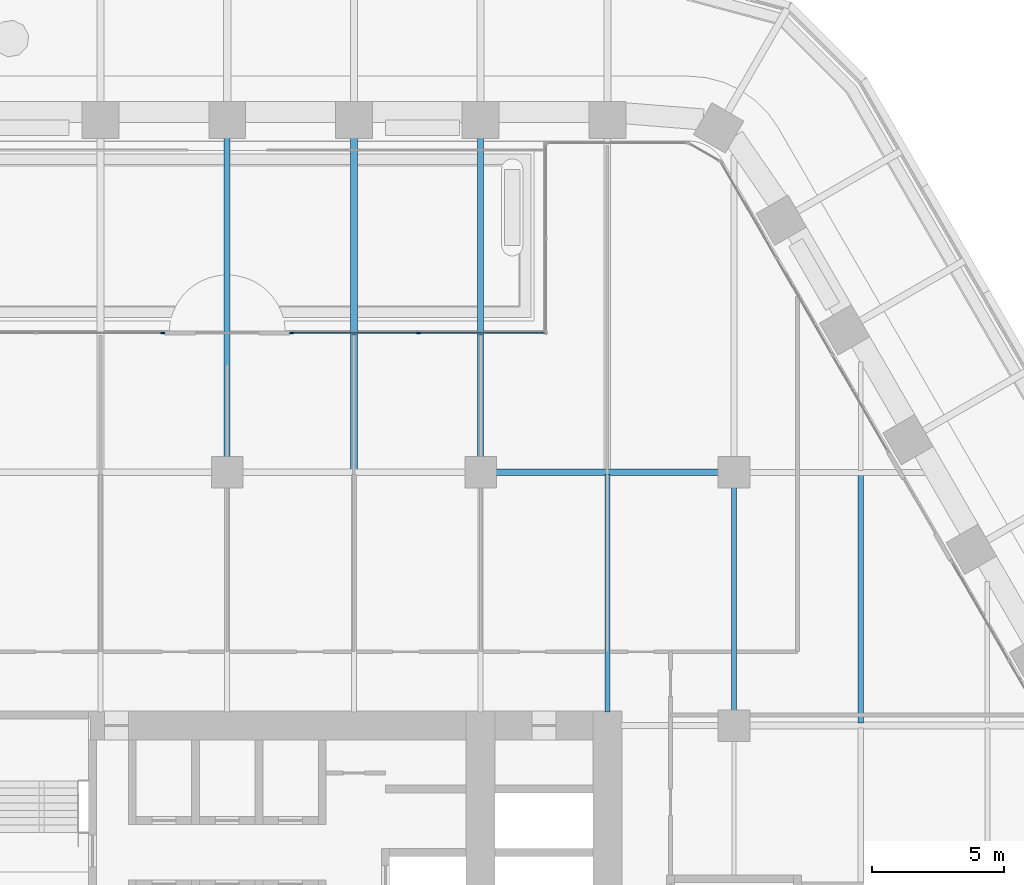
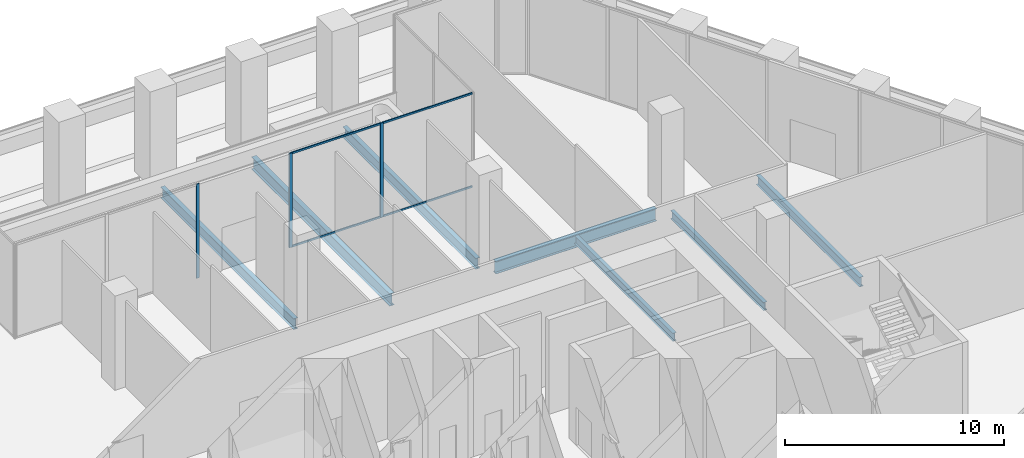
# One storey, part 10 of 30: 7 beams, 7 members, 2 elements without a shape of their own.
"""IFC4 building model written with IfcOpenShell, lengths in metres."""

from ifc_helpers import new_model, si_unit, direction, frame, origin, origin_2d, place, context, subcontext, project, spatial, rectangle, i_section, extrude, material, material_profile, profile_set, type_object, element, aggregate, save


model = new_model("IFC4")

# Units and contexts
model_context = context("Model", 3, precision=1e-05, world=origin(), true_north=direction((0.0, 1.0)))
body_context = subcontext(model_context, "Body", "Model", "MODEL_VIEW")
ifc_project = project(units=[si_unit("LENGTHUNIT", "METRE"), si_unit("AREAUNIT", "SQUARE_METRE"), si_unit("VOLUMEUNIT", "CUBIC_METRE"), si_unit("PLANEANGLEUNIT", "RADIAN"), si_unit("MASSUNIT", "GRAM", prefix="KILO")], contexts=[model_context])

# Site, building, storey
site_placement = place(None, origin())
site = spatial("IfcSite", under=ifc_project, at=site_placement, CompositionType="ELEMENT")
building_placement = place(site_placement, origin())
building = spatial("IfcBuilding", under=site, at=building_placement, Name="Kolab Exchange Tower", CompositionType="ELEMENT")
storey_placement = place(building_placement, frame((0.0, 0.0, 38.89990234375)))
storey = spatial("IfcBuildingStorey", under=building, at=storey_placement, Name="L07", CompositionType="ELEMENT", Elevation=38.89990234375)

# Beams
ifc_material_1 = material(Name="Steel S355", Category="steel")
ifc_material_profile_1 = material_profile(ifc_material_1, i_section(OverallWidth=0.18994140625, OverallDepth=0.45703125, WebThickness=0.009033203125, FlangeThickness=0.014404296875, at=origin_2d()), Name="W460X74")
ifc_profile_set_1 = profile_set([ifc_material_profile_1], Name="Steel S355")
beam_type_1 = type_object("IfcBeamType", Name="FLOOR BEAM W460X74", PredefinedType="BEAM", material=ifc_profile_set_1)
beam_1_placement = place(storey_placement, frame((14.39990234375, 10.110107421875, -0.478515625), z_axis=(0.0, 1.0, 0.0), x_axis=(-1.0, 0.0, 0.0)))
element("IfcBeam", 1, at=beam_1_placement, inside=storey, type_object=beam_type_1, Name="beam/L07/fr/044", PredefinedType="BEAM", context=body_context, shape_type="SweptSolid", body=[
    extrude(i_section(OverallWidth=0.18994140625, OverallDepth=0.45703125, WebThickness=0.009033203125, FlangeThickness=0.014404296875, at=origin_2d()), origin(), (0.0, 0.0, 1.0), 9.0029296875),
])
beam_2_placement = place(storey_placement, frame((19.199951171875, 10.159912109375, -0.478515625), z_axis=(0.0, 1.0, 0.0), x_axis=(-1.0, 0.0, 0.0)))
element("IfcBeam", 2, at=beam_2_placement, inside=storey, type_object=beam_type_1, Name="beam/L07/fr/050", PredefinedType="BEAM", context=body_context, shape_type="SweptSolid", body=[
    extrude(i_section(OverallWidth=0.18994140625, OverallDepth=0.45703125, WebThickness=0.009033203125, FlangeThickness=0.014404296875, at=origin_2d()), origin(), (0.0, 0.0, 1.0), 8.47998046875),
])
ifc_material_profile_2 = material_profile(ifc_material_1, i_section(OverallWidth=0.208984375, OverallDepth=0.532958984375, WebThickness=0.01025390625, FlangeThickness=0.015625, at=origin_2d()), Name="W530X92")
ifc_profile_set_2 = profile_set([ifc_material_profile_2], Name="Steel S355")
beam_type_2 = type_object("IfcBeamType", Name="FLOOR BEAM W530X92", PredefinedType="BEAM", material=ifc_profile_set_2)
beam_3_placement = place(storey_placement, frame((24.0, 9.693603515625, -0.516357421875), z_axis=(0.0, 1.0, 0.0), x_axis=(-1.0, 0.0, 0.0)))
element("IfcBeam", 3, at=beam_3_placement, inside=storey, type_object=beam_type_2, Name="beam/L07/fr/056", PredefinedType="BEAM", context=body_context, shape_type="SweptSolid", body=[
    extrude(i_section(OverallWidth=0.208984375, OverallDepth=0.532958984375, WebThickness=0.01025390625, FlangeThickness=0.015625, at=origin_2d()), origin(), (0.0, 0.0, 1.0), 9.432373046875),
])
ifc_material_profile_3 = material_profile(ifc_material_1, i_section(OverallWidth=0.22802734375, OverallDepth=0.60791015625, WebThickness=0.01123046875, FlangeThickness=0.017333984375, at=origin_2d()), Name="W610X113")
ifc_profile_set_3 = profile_set([ifc_material_profile_3], Name="Steel S355")
beam_type_3 = type_object("IfcBeamType", Name="FLOOR BEAM W610X113", PredefinedType="BEAM", material=ifc_profile_set_3)
for number, where, z_axis, x_axis, name in (
    (4, (0.0, 19.760009765625, -0.553955078125), (0.0, 1.0, 0.0), (-1.0, 0.0, 0.0), "beam/L07/fr/033"),
    (5, (9.60009765625, 19.760009765625, -0.553955078125), (0.0, 1.0, 0.0), (-1.0, 0.0, 0.0), "beam/L07/fr/041"),
):
    element("IfcBeam", number, at=place(storey_placement, frame(where, z_axis=z_axis, x_axis=x_axis)), inside=storey, type_object=beam_type_3, Name=name, PredefinedType="BEAM", context=body_context, shape_type="SweptSolid", body=[
        extrude(i_section(OverallWidth=0.22802734375, OverallDepth=0.60791015625, WebThickness=0.01123046875, FlangeThickness=0.017333984375, at=origin_2d()), origin(), (0.0, 0.0, 1.0), 12.135498046875),
    ])
ifc_material_profile_4 = material_profile(ifc_material_1, i_section(OverallWidth=0.25390625, OverallDepth=0.68408203125, WebThickness=0.012451171875, FlangeThickness=0.018798828125, at=origin_2d()), Name="W690X140")
ifc_profile_set_4 = profile_set([ifc_material_profile_4], Name="Steel S355")
beam_type_4 = type_object("IfcBeamType", Name="FLOOR BEAM W690X140", PredefinedType="BEAM", material=ifc_profile_set_4)
beam_4_placement = place(storey_placement, frame((4.800048828125, 19.287109375, -0.591796875), z_axis=(0.0, 1.0, 0.0), x_axis=(-1.0, 0.0, 0.0)))
element("IfcBeam", 6, at=beam_4_placement, inside=storey, type_object=beam_type_4, Name="beam/L07/fr/037", PredefinedType="BEAM", context=body_context, shape_type="SweptSolid", body=[
    extrude(i_section(OverallWidth=0.25390625, OverallDepth=0.68408203125, WebThickness=0.012451171875, FlangeThickness=0.018798828125, at=origin_2d()), origin(), (0.0, 0.0, 1.0), 12.6083984375),
])
ifc_material_profile_5 = material_profile(ifc_material_1, i_section(OverallWidth=0.25390625, OverallDepth=0.68408203125, WebThickness=0.012451171875, FlangeThickness=0.018798828125, at=origin_2d()), Name="W690X140")
ifc_profile_set_5 = profile_set([ifc_material_profile_5], Name="Steel S355")
beam_type_5 = type_object("IfcBeamType", Name="FLOOR GIRDER W690X140", PredefinedType="BEAM", material=ifc_profile_set_5)
beam_5_placement = place(storey_placement, frame((10.159912109375, 19.199951171875, -0.591796875), z_axis=(1.0, 0.0, 0.0), x_axis=(0.0, 1.0, 0.0)))
element("IfcBeam", 7, at=beam_5_placement, inside=storey, type_object=beam_type_5, Name="beam/L07/gd/016", PredefinedType="BEAM", context=body_context, shape_type="SweptSolid", body=[
    extrude(i_section(OverallWidth=0.25390625, OverallDepth=0.68408203125, WebThickness=0.012451171875, FlangeThickness=0.018798828125, at=origin_2d()), origin(), (0.0, 0.0, 1.0), 8.47998046875),
])

# Curtain wall, member
ifc_material_2 = material(Name="Aluminium EN AW-6063 T6", Category="aluminium")
curtain_wall_type = type_object("IfcCurtainWallType", Name="UNITISED LOW ZONE CURTAIN WALL", PredefinedType="NOTDEFINED", material=ifc_material_2)
curtain_wall_1_placement = place(storey_placement, origin())
curtain_wall_1 = element("IfcCurtainWall", 8, at=curtain_wall_1_placement, inside=storey, type_object=curtain_wall_type, Name="cw/L07/F1-back-1", PredefinedType="NOTDEFINED")
ifc_material_profile_6 = material_profile(ifc_material_2, rectangle(XDim=0.06005859375, YDim=0.159912109375, at=origin_2d()), Name="RECT 60X160")
ifc_profile_set_6 = profile_set([ifc_material_profile_6], Name="Aluminium EN AW-6063 T6")
member_type_1 = type_object("IfcMemberType", Name="UNITISED LOW ZONE MULLION 60 X 160", PredefinedType="MULLION", material=ifc_profile_set_6)
member_1_placement = place(storey_placement, frame((-2.446044921875, 24.475341796875, 0.0), z_axis=(0.0, 0.0, 1.0), x_axis=(0.0, 1.0, 0.0)))
member_1 = element("IfcMember", 9, at=member_1_placement, type_object=member_type_1, Name="CW1 mullion 3", PredefinedType="MULLION", context=body_context, shape_type="SweptSolid", body=[
    extrude(rectangle(XDim=0.06005859375, YDim=0.159912109375, at=origin_2d()), origin(), (0.0, 0.0, 1.0), 5.25),
])
aggregate(curtain_wall_1, [member_1])

# Curtain wall, members
curtain_wall_2_placement = place(storey_placement, origin())
curtain_wall_2 = element("IfcCurtainWall", 10, at=curtain_wall_2_placement, inside=storey, type_object=curtain_wall_type, Name="cw/L07/F1-back-2", PredefinedType="NOTDEFINED")
member_2_placement = place(storey_placement, frame((2.446044921875, 24.475341796875, 0.0), z_axis=(0.0, 0.0, 1.0), x_axis=(0.0, 1.0, 0.0)))
member_2 = element("IfcMember", 11, at=member_2_placement, type_object=member_type_1, Name="CW1 mullion 1", PredefinedType="MULLION", context=body_context, shape_type="SweptSolid", body=[
    extrude(rectangle(XDim=0.06005859375, YDim=0.159912109375, at=origin_2d()), origin(), (0.0, 0.0, 1.0), 5.25),
])
member_3_placement = place(storey_placement, frame((7.248046875, 24.475341796875, 0.0), z_axis=(0.0, 0.0, 1.0), x_axis=(0.0, 1.0, 0.0)))
member_3 = element("IfcMember", 12, at=member_3_placement, type_object=member_type_1, Name="CW1 mullion 2", PredefinedType="MULLION", context=body_context, shape_type="SweptSolid", body=[
    extrude(rectangle(XDim=0.06005859375, YDim=0.159912109375, at=origin_2d()), origin(), (0.0, 0.0, 1.0), 5.25),
])
ifc_material_profile_7 = material_profile(ifc_material_2, rectangle(XDim=0.06005859375, YDim=0.10009765625, at=origin_2d()), Name="RECT 60X100")
ifc_profile_set_7 = profile_set([ifc_material_profile_7], Name="Aluminium EN AW-6063 T6")
member_type_2 = type_object("IfcMemberType", Name="UNITISED LOW ZONE TRANSOM 60 X 100", PredefinedType="USERDEFINED", material=ifc_profile_set_7)
member_4_placement = place(storey_placement, frame((2.47607421875, 24.475341796875, 0.030029296875), z_axis=(1.0, 0.0, 0.0), x_axis=(0.0, 1.0, 0.0)))
member_4 = element("IfcMember", 13, at=member_4_placement, type_object=member_type_2, Name="CW1 transom 1.1", ObjectType="TRANSOM", PredefinedType="USERDEFINED", context=body_context, shape_type="SweptSolid", body=[
    extrude(rectangle(XDim=0.06005859375, YDim=0.10009765625, at=origin_2d()), origin(), (0.0, 0.0, 1.0), 4.741943359375),
])
member_5_placement = place(storey_placement, frame((2.47607421875, 24.475341796875, 5.22021484375), z_axis=(1.0, 0.0, 0.0), x_axis=(0.0, 1.0, 0.0)))
member_5 = element("IfcMember", 14, at=member_5_placement, type_object=member_type_2, Name="CW1 transom 1.2", ObjectType="TRANSOM", PredefinedType="USERDEFINED", context=body_context, shape_type="SweptSolid", body=[
    extrude(rectangle(XDim=0.06005859375, YDim=0.10009765625, at=origin_2d()), origin(), (0.0, 0.0, 1.0), 4.741943359375),
])
member_6_placement = place(storey_placement, frame((7.278076171875, 24.475341796875, 0.030029296875), z_axis=(1.0, 0.0, 0.0), x_axis=(0.0, 1.0, 0.0)))
member_6 = element("IfcMember", 15, at=member_6_placement, type_object=member_type_2, Name="CW1 transom 2.1", ObjectType="TRANSOM", PredefinedType="USERDEFINED", context=body_context, shape_type="SweptSolid", body=[
    extrude(rectangle(XDim=0.06005859375, YDim=0.10009765625, at=origin_2d()), origin(), (0.0, 0.0, 1.0), 4.741943359375),
])
member_7_placement = place(storey_placement, frame((7.278076171875, 24.475341796875, 5.22021484375), z_axis=(1.0, 0.0, 0.0), x_axis=(0.0, 1.0, 0.0)))
member_7 = element("IfcMember", 16, at=member_7_placement, type_object=member_type_2, Name="CW1 transom 2.2", ObjectType="TRANSOM", PredefinedType="USERDEFINED", context=body_context, shape_type="SweptSolid", body=[
    extrude(rectangle(XDim=0.06005859375, YDim=0.10009765625, at=origin_2d()), origin(), (0.0, 0.0, 1.0), 4.741943359375),
])
aggregate(curtain_wall_2, [member_2, member_3, member_4, member_5, member_6, member_7])

save(model, "model.ifc")
